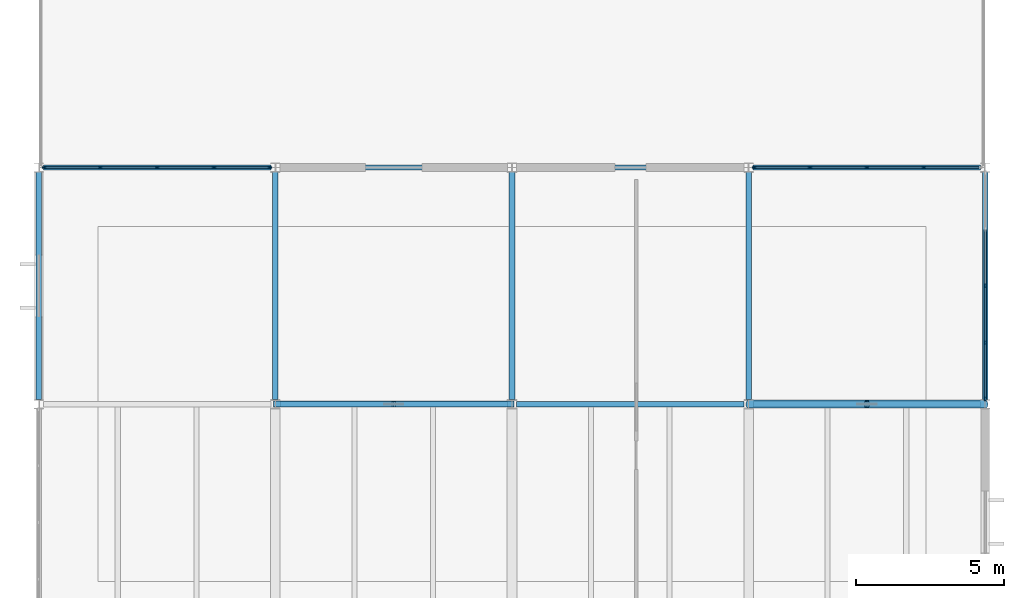
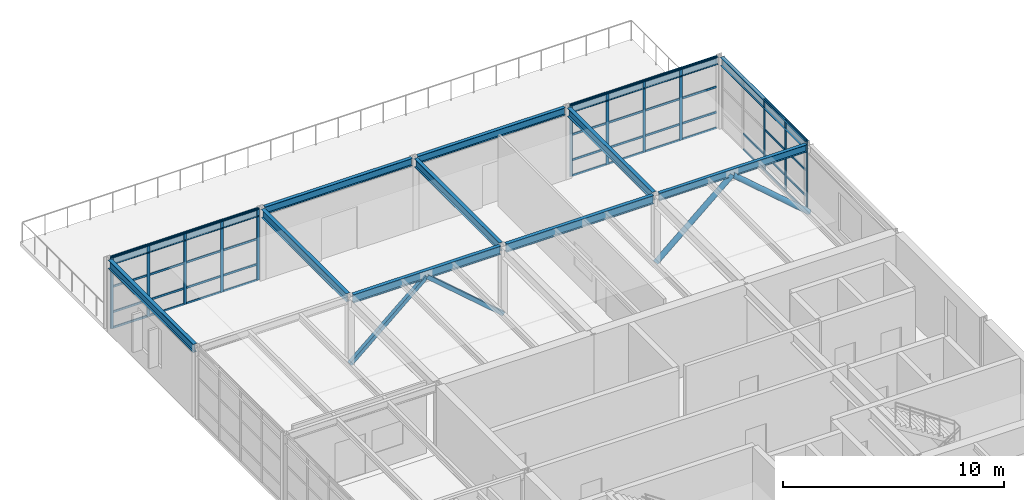
# One storey, part 9 of 15: 58 members, 12 beams, 3 elements without a shape of their own.
"""IFC4 building model written with IfcOpenShell, lengths in metres."""

from ifc_helpers import new_model, si_unit, direction, frame, origin, origin_2d, place, context, subcontext, project, spatial, rectangle, hollow_rectangle, hollow_circle, i_section, extrude, material, layer, layer_set, material_profile, profile_set, type_object, element, aggregate, save


model = new_model("IFC4")

# Units and contexts
model_context = context("Model", 3, precision=1e-05, world=origin(), true_north=direction((0.0, 1.0)))
body_context = subcontext(model_context, "Body", "Model", "MODEL_VIEW")
ifc_project = project(units=[si_unit("LENGTHUNIT", "METRE"), si_unit("AREAUNIT", "SQUARE_METRE"), si_unit("VOLUMEUNIT", "CUBIC_METRE"), si_unit("PLANEANGLEUNIT", "RADIAN"), si_unit("MASSUNIT", "GRAM", prefix="KILO")], contexts=[model_context])

# Site, building, storey
site_placement = place(None, origin())
site = spatial("IfcSite", under=ifc_project, at=site_placement, CompositionType="ELEMENT")
building_placement = place(site_placement, origin())
building = spatial("IfcBuilding", under=site, at=building_placement, Name="Varnela Railside Interchange", CompositionType="ELEMENT")
storey_placement = place(building_placement, frame((0.0, 0.0, 32.199951171875)))
storey = spatial("IfcBuildingStorey", under=building, at=storey_placement, Name="L07", CompositionType="ELEMENT", Elevation=32.199951171875)

# Beams
ifc_material_1 = material(Name="Steel AR 350 (350 MPa)", Category="steel")
ifc_material_profile_1 = material_profile(ifc_material_1, i_section(OverallWidth=0.18994140625, OverallDepth=0.45703125, WebThickness=0.009033203125, FlangeThickness=0.014404296875, at=origin_2d()), Name="W460x74")
ifc_profile_set_1 = profile_set([ifc_material_profile_1], Name="Steel AR 350 (350 MPa)")
beam_type_1 = type_object("IfcBeamType", Name="Composite Primary Beam B-21", PredefinedType="BEAM", material=ifc_profile_set_1)
for number, where, z_axis, x_axis, name in (
    (1, (12.155029296875, 78.0, 3.7314453125), (1.0, 0.0, 0.0), (0.0, 1.0, 0.0), "Composite Primary Beam B-21 (L07) (BM-2753)"),
    (2, (20.155029296875, 78.0, 3.7314453125), (1.0, 0.0, 0.0), (0.0, 1.0, 0.0), "Composite Primary Beam B-21 (L07) (BM-2754)"),
):
    element("IfcBeam", number, at=place(storey_placement, frame(where, z_axis=z_axis, x_axis=x_axis)), inside=storey, type_object=beam_type_1, Name=name, PredefinedType="BEAM", context=body_context, shape_type="SweptSolid", body=[
        extrude(i_section(OverallWidth=0.18994140625, OverallDepth=0.45703125, WebThickness=0.009033203125, FlangeThickness=0.014404296875, at=origin_2d()), origin(), (0.0, 0.0, 1.0), 7.68994140625),
    ])

# Curtain wall, members
ifc_material_2 = material(Name="Aluminium 6063-T6", Category="aluminium")
ifc_layer = layer(ifc_material_2, 0.035888671875)
ifc_layer_set = layer_set([ifc_layer], Name="Aluminium 6063-T6")
curtain_wall_type = type_object("IfcCurtainWallType", Name="Operations Wing Facade Curtain Wall CW-03", PredefinedType="USERDEFINED", material=ifc_layer_set)
curtain_wall_1_placement = place(storey_placement, origin())
curtain_wall_1 = element("IfcCurtainWall", 3, at=curtain_wall_1_placement, inside=storey, type_object=curtain_wall_type, Name="Curtain Wall CW-03 (L07) (CW-150)", ObjectType="CURTAIN WALL", PredefinedType="USERDEFINED")
ifc_material_profile_2 = material_profile(ifc_material_2, rectangle(XDim=0.06005859375, YDim=0.139892578125, at=origin_2d()), Name="ALU 60x140")
ifc_profile_set_2 = profile_set([ifc_material_profile_2], Name="Aluminium 6063-T6")
member_type_1 = type_object("IfcMemberType", Name="Curtain Wall Mullion ML-01", PredefinedType="MULLION", material=ifc_profile_set_2)
member_1_placement = place(storey_placement, frame((4.18505859375, 86.0, 0.0), z_axis=(0.0, 0.0, 1.0), x_axis=(0.0, 1.0, 0.0)))
member_1 = element("IfcMember", 4, at=member_1_placement, type_object=member_type_1, Name="CW-03 mullion 1", PredefinedType="MULLION", context=body_context, shape_type="SweptSolid", body=[
    extrude(rectangle(XDim=0.06005859375, YDim=0.139892578125, at=origin_2d()), origin(), (0.0, 0.0, 1.0), 3.9599609375),
])
member_2_placement = place(storey_placement, frame((6.077392578125, 86.0, 0.0), z_axis=(0.0, 0.0, 1.0), x_axis=(0.0, 1.0, 0.0)))
member_2 = element("IfcMember", 5, at=member_2_placement, type_object=member_type_1, Name="CW-03 mullion 2", PredefinedType="MULLION", context=body_context, shape_type="SweptSolid", body=[
    extrude(rectangle(XDim=0.06005859375, YDim=0.139892578125, at=origin_2d()), origin(), (0.0, 0.0, 1.0), 3.9599609375),
])
member_3_placement = place(storey_placement, frame((8.0, 86.0, 0.0), z_axis=(0.0, 0.0, 1.0), x_axis=(0.0, 1.0, 0.0)))
member_3 = element("IfcMember", 6, at=member_3_placement, type_object=member_type_1, Name="CW-03 mullion 3", PredefinedType="MULLION", context=body_context, shape_type="SweptSolid", body=[
    extrude(rectangle(XDim=0.06005859375, YDim=0.139892578125, at=origin_2d()), origin(), (0.0, 0.0, 1.0), 3.9599609375),
])
member_4_placement = place(storey_placement, frame((9.922607421875, 86.0, 0.0), z_axis=(0.0, 0.0, 1.0), x_axis=(0.0, 1.0, 0.0)))
member_4 = element("IfcMember", 7, at=member_4_placement, type_object=member_type_1, Name="CW-03 mullion 4", PredefinedType="MULLION", context=body_context, shape_type="SweptSolid", body=[
    extrude(rectangle(XDim=0.06005859375, YDim=0.139892578125, at=origin_2d()), origin(), (0.0, 0.0, 1.0), 3.9599609375),
])
member_5_placement = place(storey_placement, frame((11.81494140625, 86.0, 0.0), z_axis=(0.0, 0.0, 1.0), x_axis=(0.0, 1.0, 0.0)))
member_5 = element("IfcMember", 8, at=member_5_placement, type_object=member_type_1, Name="CW-03 mullion 5", PredefinedType="MULLION", context=body_context, shape_type="SweptSolid", body=[
    extrude(rectangle(XDim=0.06005859375, YDim=0.139892578125, at=origin_2d()), origin(), (0.0, 0.0, 1.0), 3.9599609375),
])

curtain_wall_2_placement = place(storey_placement, origin())
curtain_wall_2 = element("IfcCurtainWall", 9, at=curtain_wall_2_placement, inside=storey, type_object=curtain_wall_type, Name="Curtain Wall CW-03 (L07) (CW-151)", ObjectType="CURTAIN WALL", PredefinedType="USERDEFINED")
member_6_placement = place(storey_placement, frame((28.18505859375, 86.0, 0.0), z_axis=(0.0, 0.0, 1.0), x_axis=(0.0, 1.0, 0.0)))
member_6 = element("IfcMember", 10, at=member_6_placement, type_object=member_type_1, Name="CW-03 mullion 1", PredefinedType="MULLION", context=body_context, shape_type="SweptSolid", body=[
    extrude(rectangle(XDim=0.06005859375, YDim=0.139892578125, at=origin_2d()), origin(), (0.0, 0.0, 1.0), 3.9599609375),
])
member_7_placement = place(storey_placement, frame((30.077392578125, 86.0, 0.0), z_axis=(0.0, 0.0, 1.0), x_axis=(0.0, 1.0, 0.0)))
member_7 = element("IfcMember", 11, at=member_7_placement, type_object=member_type_1, Name="CW-03 mullion 2", PredefinedType="MULLION", context=body_context, shape_type="SweptSolid", body=[
    extrude(rectangle(XDim=0.06005859375, YDim=0.139892578125, at=origin_2d()), origin(), (0.0, 0.0, 1.0), 3.9599609375),
])
member_8_placement = place(storey_placement, frame((32.0, 86.0, 0.0), z_axis=(0.0, 0.0, 1.0), x_axis=(0.0, 1.0, 0.0)))
member_8 = element("IfcMember", 12, at=member_8_placement, type_object=member_type_1, Name="CW-03 mullion 3", PredefinedType="MULLION", context=body_context, shape_type="SweptSolid", body=[
    extrude(rectangle(XDim=0.06005859375, YDim=0.139892578125, at=origin_2d()), origin(), (0.0, 0.0, 1.0), 3.9599609375),
])
member_9_placement = place(storey_placement, frame((33.922607421875, 86.0, 0.0), z_axis=(0.0, 0.0, 1.0), x_axis=(0.0, 1.0, 0.0)))
member_9 = element("IfcMember", 13, at=member_9_placement, type_object=member_type_1, Name="CW-03 mullion 4", PredefinedType="MULLION", context=body_context, shape_type="SweptSolid", body=[
    extrude(rectangle(XDim=0.06005859375, YDim=0.139892578125, at=origin_2d()), origin(), (0.0, 0.0, 1.0), 3.9599609375),
])

curtain_wall_3_placement = place(storey_placement, origin())
curtain_wall_3 = element("IfcCurtainWall", 14, at=curtain_wall_3_placement, inside=storey, type_object=curtain_wall_type, Name="Curtain Wall CW-03 (L07) (CW-152)", ObjectType="CURTAIN WALL", PredefinedType="USERDEFINED")
member_10_placement = place(storey_placement, frame((36.0, 82.0, 0.0), z_axis=(0.0, 0.0, 1.0), x_axis=(1.0, 0.0, 0.0)))
member_10 = element("IfcMember", 15, at=member_10_placement, type_object=member_type_1, Name="CW-03 mullion 3", PredefinedType="MULLION", context=body_context, shape_type="SweptSolid", body=[
    extrude(rectangle(XDim=0.06005859375, YDim=0.139892578125, at=origin_2d()), origin(), (0.0, 0.0, 1.0), 3.9599609375),
])
member_11_placement = place(storey_placement, frame((36.0, 80.076904296875, 0.0), z_axis=(0.0, 0.0, 1.0), x_axis=(1.0, 0.0, 0.0)))
member_11 = element("IfcMember", 16, at=member_11_placement, type_object=member_type_1, Name="CW-03 mullion 4", PredefinedType="MULLION", context=body_context, shape_type="SweptSolid", body=[
    extrude(rectangle(XDim=0.06005859375, YDim=0.139892578125, at=origin_2d()), origin(), (0.0, 0.0, 1.0), 3.9599609375),
])
member_12_placement = place(storey_placement, frame((36.0, 78.18408203125, 0.0), z_axis=(0.0, 0.0, 1.0), x_axis=(1.0, 0.0, 0.0)))
member_12 = element("IfcMember", 17, at=member_12_placement, type_object=member_type_1, Name="CW-03 mullion 5", PredefinedType="MULLION", context=body_context, shape_type="SweptSolid", body=[
    extrude(rectangle(XDim=0.06005859375, YDim=0.139892578125, at=origin_2d()), origin(), (0.0, 0.0, 1.0), 3.9599609375),
])

# Member
ifc_material_profile_3 = material_profile(ifc_material_2, rectangle(XDim=0.06005859375, YDim=0.110107421875, at=origin_2d()), Name="ALU 60x110")
ifc_profile_set_3 = profile_set([ifc_material_profile_3], Name="Aluminium 6063-T6")
member_type_2 = type_object("IfcMemberType", Name="Curtain Wall Transom TR-01", PredefinedType="USERDEFINED", material=ifc_profile_set_3)
member_13_placement = place(storey_placement, frame((4.215087890625, 86.0, 0.030029296875), z_axis=(1.0, 0.0, 0.0), x_axis=(0.0, 1.0, 0.0)))
member_13 = element("IfcMember", 18, at=member_13_placement, type_object=member_type_2, Name="CW-03 transom 1.1", ObjectType="TRANSOM", PredefinedType="USERDEFINED", context=body_context, shape_type="SweptSolid", body=[
    extrude(rectangle(XDim=0.06005859375, YDim=0.110107421875, at=origin_2d()), origin(), (0.0, 0.0, 1.0), 1.83251953125),
])

member_14_placement = place(storey_placement, frame((4.215087890625, 86.0, 0.900146484375), z_axis=(1.0, 0.0, 0.0), x_axis=(0.0, 1.0, 0.0)))
member_14 = element("IfcMember", 19, at=member_14_placement, type_object=member_type_2, Name="CW-03 transom 1.2", ObjectType="TRANSOM", PredefinedType="USERDEFINED", context=body_context, shape_type="SweptSolid", body=[
    extrude(rectangle(XDim=0.06005859375, YDim=0.110107421875, at=origin_2d()), origin(), (0.0, 0.0, 1.0), 1.83251953125),
])

member_15_placement = place(storey_placement, frame((4.215087890625, 86.0, 2.296875), z_axis=(1.0, 0.0, 0.0), x_axis=(0.0, 1.0, 0.0)))
member_15 = element("IfcMember", 20, at=member_15_placement, type_object=member_type_2, Name="CW-03 transom 1.3", ObjectType="TRANSOM", PredefinedType="USERDEFINED", context=body_context, shape_type="SweptSolid", body=[
    extrude(rectangle(XDim=0.06005859375, YDim=0.110107421875, at=origin_2d()), origin(), (0.0, 0.0, 1.0), 1.83251953125),
])

member_16_placement = place(storey_placement, frame((4.215087890625, 86.0, 3.929931640625), z_axis=(1.0, 0.0, 0.0), x_axis=(0.0, 1.0, 0.0)))
member_16 = element("IfcMember", 21, at=member_16_placement, type_object=member_type_2, Name="CW-03 transom 1.4", ObjectType="TRANSOM", PredefinedType="USERDEFINED", context=body_context, shape_type="SweptSolid", body=[
    extrude(rectangle(XDim=0.06005859375, YDim=0.110107421875, at=origin_2d()), origin(), (0.0, 0.0, 1.0), 1.83251953125),
])

member_17_placement = place(storey_placement, frame((6.107421875, 86.0, 0.030029296875), z_axis=(1.0, 0.0, 0.0), x_axis=(0.0, 1.0, 0.0)))
member_17 = element("IfcMember", 22, at=member_17_placement, type_object=member_type_2, Name="CW-03 transom 2.1", ObjectType="TRANSOM", PredefinedType="USERDEFINED", context=body_context, shape_type="SweptSolid", body=[
    extrude(rectangle(XDim=0.06005859375, YDim=0.110107421875, at=origin_2d()), origin(), (0.0, 0.0, 1.0), 1.862548828125),
])

member_18_placement = place(storey_placement, frame((6.107421875, 86.0, 0.900146484375), z_axis=(1.0, 0.0, 0.0), x_axis=(0.0, 1.0, 0.0)))
member_18 = element("IfcMember", 23, at=member_18_placement, type_object=member_type_2, Name="CW-03 transom 2.2", ObjectType="TRANSOM", PredefinedType="USERDEFINED", context=body_context, shape_type="SweptSolid", body=[
    extrude(rectangle(XDim=0.06005859375, YDim=0.110107421875, at=origin_2d()), origin(), (0.0, 0.0, 1.0), 1.862548828125),
])

member_19_placement = place(storey_placement, frame((6.107421875, 86.0, 2.296875), z_axis=(1.0, 0.0, 0.0), x_axis=(0.0, 1.0, 0.0)))
member_19 = element("IfcMember", 24, at=member_19_placement, type_object=member_type_2, Name="CW-03 transom 2.3", ObjectType="TRANSOM", PredefinedType="USERDEFINED", context=body_context, shape_type="SweptSolid", body=[
    extrude(rectangle(XDim=0.06005859375, YDim=0.110107421875, at=origin_2d()), origin(), (0.0, 0.0, 1.0), 1.862548828125),
])

member_20_placement = place(storey_placement, frame((6.107421875, 86.0, 3.929931640625), z_axis=(1.0, 0.0, 0.0), x_axis=(0.0, 1.0, 0.0)))
member_20 = element("IfcMember", 25, at=member_20_placement, type_object=member_type_2, Name="CW-03 transom 2.4", ObjectType="TRANSOM", PredefinedType="USERDEFINED", context=body_context, shape_type="SweptSolid", body=[
    extrude(rectangle(XDim=0.06005859375, YDim=0.110107421875, at=origin_2d()), origin(), (0.0, 0.0, 1.0), 1.862548828125),
])

member_21_placement = place(storey_placement, frame((8.030029296875, 86.0, 0.030029296875), z_axis=(1.0, 0.0, 0.0), x_axis=(0.0, 1.0, 0.0)))
member_21 = element("IfcMember", 26, at=member_21_placement, type_object=member_type_2, Name="CW-03 transom 3.1", ObjectType="TRANSOM", PredefinedType="USERDEFINED", context=body_context, shape_type="SweptSolid", body=[
    extrude(rectangle(XDim=0.06005859375, YDim=0.110107421875, at=origin_2d()), origin(), (0.0, 0.0, 1.0), 1.862548828125),
])

member_22_placement = place(storey_placement, frame((8.030029296875, 86.0, 0.900146484375), z_axis=(1.0, 0.0, 0.0), x_axis=(0.0, 1.0, 0.0)))
member_22 = element("IfcMember", 27, at=member_22_placement, type_object=member_type_2, Name="CW-03 transom 3.2", ObjectType="TRANSOM", PredefinedType="USERDEFINED", context=body_context, shape_type="SweptSolid", body=[
    extrude(rectangle(XDim=0.06005859375, YDim=0.110107421875, at=origin_2d()), origin(), (0.0, 0.0, 1.0), 1.862548828125),
])

member_23_placement = place(storey_placement, frame((8.030029296875, 86.0, 2.296875), z_axis=(1.0, 0.0, 0.0), x_axis=(0.0, 1.0, 0.0)))
member_23 = element("IfcMember", 28, at=member_23_placement, type_object=member_type_2, Name="CW-03 transom 3.3", ObjectType="TRANSOM", PredefinedType="USERDEFINED", context=body_context, shape_type="SweptSolid", body=[
    extrude(rectangle(XDim=0.06005859375, YDim=0.110107421875, at=origin_2d()), origin(), (0.0, 0.0, 1.0), 1.862548828125),
])

member_24_placement = place(storey_placement, frame((8.030029296875, 86.0, 3.929931640625), z_axis=(1.0, 0.0, 0.0), x_axis=(0.0, 1.0, 0.0)))
member_24 = element("IfcMember", 29, at=member_24_placement, type_object=member_type_2, Name="CW-03 transom 3.4", ObjectType="TRANSOM", PredefinedType="USERDEFINED", context=body_context, shape_type="SweptSolid", body=[
    extrude(rectangle(XDim=0.06005859375, YDim=0.110107421875, at=origin_2d()), origin(), (0.0, 0.0, 1.0), 1.862548828125),
])

member_25_placement = place(storey_placement, frame((9.952392578125, 86.0, 0.030029296875), z_axis=(1.0, 0.0, 0.0), x_axis=(0.0, 1.0, 0.0)))
member_25 = element("IfcMember", 30, at=member_25_placement, type_object=member_type_2, Name="CW-03 transom 4.1", ObjectType="TRANSOM", PredefinedType="USERDEFINED", context=body_context, shape_type="SweptSolid", body=[
    extrude(rectangle(XDim=0.06005859375, YDim=0.110107421875, at=origin_2d()), origin(), (0.0, 0.0, 1.0), 1.83251953125),
])

member_26_placement = place(storey_placement, frame((9.952392578125, 86.0, 0.900146484375), z_axis=(1.0, 0.0, 0.0), x_axis=(0.0, 1.0, 0.0)))
member_26 = element("IfcMember", 31, at=member_26_placement, type_object=member_type_2, Name="CW-03 transom 4.2", ObjectType="TRANSOM", PredefinedType="USERDEFINED", context=body_context, shape_type="SweptSolid", body=[
    extrude(rectangle(XDim=0.06005859375, YDim=0.110107421875, at=origin_2d()), origin(), (0.0, 0.0, 1.0), 1.83251953125),
])

member_27_placement = place(storey_placement, frame((9.952392578125, 86.0, 2.296875), z_axis=(1.0, 0.0, 0.0), x_axis=(0.0, 1.0, 0.0)))
member_27 = element("IfcMember", 32, at=member_27_placement, type_object=member_type_2, Name="CW-03 transom 4.3", ObjectType="TRANSOM", PredefinedType="USERDEFINED", context=body_context, shape_type="SweptSolid", body=[
    extrude(rectangle(XDim=0.06005859375, YDim=0.110107421875, at=origin_2d()), origin(), (0.0, 0.0, 1.0), 1.83251953125),
])

member_28_placement = place(storey_placement, frame((9.952392578125, 86.0, 3.929931640625), z_axis=(1.0, 0.0, 0.0), x_axis=(0.0, 1.0, 0.0)))
member_28 = element("IfcMember", 33, at=member_28_placement, type_object=member_type_2, Name="CW-03 transom 4.4", ObjectType="TRANSOM", PredefinedType="USERDEFINED", context=body_context, shape_type="SweptSolid", body=[
    extrude(rectangle(XDim=0.06005859375, YDim=0.110107421875, at=origin_2d()), origin(), (0.0, 0.0, 1.0), 1.83251953125),
])

aggregate(curtain_wall_1, [member_1, member_2, member_3, member_4, member_5, member_13, member_14, member_15, member_16, member_17, member_18, member_19, member_20, member_21, member_22, member_23, member_24, member_25, member_26, member_27, member_28])

member_29_placement = place(storey_placement, frame((28.215087890625, 86.0, 0.030029296875), z_axis=(1.0, 0.0, 0.0), x_axis=(0.0, 1.0, 0.0)))
member_29 = element("IfcMember", 34, at=member_29_placement, type_object=member_type_2, Name="CW-03 transom 1.1", ObjectType="TRANSOM", PredefinedType="USERDEFINED", context=body_context, shape_type="SweptSolid", body=[
    extrude(rectangle(XDim=0.06005859375, YDim=0.110107421875, at=origin_2d()), origin(), (0.0, 0.0, 1.0), 1.83251953125),
])

member_30_placement = place(storey_placement, frame((28.215087890625, 86.0, 0.900146484375), z_axis=(1.0, 0.0, 0.0), x_axis=(0.0, 1.0, 0.0)))
member_30 = element("IfcMember", 35, at=member_30_placement, type_object=member_type_2, Name="CW-03 transom 1.2", ObjectType="TRANSOM", PredefinedType="USERDEFINED", context=body_context, shape_type="SweptSolid", body=[
    extrude(rectangle(XDim=0.06005859375, YDim=0.110107421875, at=origin_2d()), origin(), (0.0, 0.0, 1.0), 1.83251953125),
])

member_31_placement = place(storey_placement, frame((28.215087890625, 86.0, 2.296875), z_axis=(1.0, 0.0, 0.0), x_axis=(0.0, 1.0, 0.0)))
member_31 = element("IfcMember", 36, at=member_31_placement, type_object=member_type_2, Name="CW-03 transom 1.3", ObjectType="TRANSOM", PredefinedType="USERDEFINED", context=body_context, shape_type="SweptSolid", body=[
    extrude(rectangle(XDim=0.06005859375, YDim=0.110107421875, at=origin_2d()), origin(), (0.0, 0.0, 1.0), 1.83251953125),
])

member_32_placement = place(storey_placement, frame((28.215087890625, 86.0, 3.929931640625), z_axis=(1.0, 0.0, 0.0), x_axis=(0.0, 1.0, 0.0)))
member_32 = element("IfcMember", 37, at=member_32_placement, type_object=member_type_2, Name="CW-03 transom 1.4", ObjectType="TRANSOM", PredefinedType="USERDEFINED", context=body_context, shape_type="SweptSolid", body=[
    extrude(rectangle(XDim=0.06005859375, YDim=0.110107421875, at=origin_2d()), origin(), (0.0, 0.0, 1.0), 1.83251953125),
])

member_33_placement = place(storey_placement, frame((30.107421875, 86.0, 0.030029296875), z_axis=(1.0, 0.0, 0.0), x_axis=(0.0, 1.0, 0.0)))
member_33 = element("IfcMember", 38, at=member_33_placement, type_object=member_type_2, Name="CW-03 transom 2.1", ObjectType="TRANSOM", PredefinedType="USERDEFINED", context=body_context, shape_type="SweptSolid", body=[
    extrude(rectangle(XDim=0.06005859375, YDim=0.110107421875, at=origin_2d()), origin(), (0.0, 0.0, 1.0), 1.862548828125),
])

member_34_placement = place(storey_placement, frame((30.107421875, 86.0, 0.900146484375), z_axis=(1.0, 0.0, 0.0), x_axis=(0.0, 1.0, 0.0)))
member_34 = element("IfcMember", 39, at=member_34_placement, type_object=member_type_2, Name="CW-03 transom 2.2", ObjectType="TRANSOM", PredefinedType="USERDEFINED", context=body_context, shape_type="SweptSolid", body=[
    extrude(rectangle(XDim=0.06005859375, YDim=0.110107421875, at=origin_2d()), origin(), (0.0, 0.0, 1.0), 1.862548828125),
])

member_35_placement = place(storey_placement, frame((30.107421875, 86.0, 2.296875), z_axis=(1.0, 0.0, 0.0), x_axis=(0.0, 1.0, 0.0)))
member_35 = element("IfcMember", 40, at=member_35_placement, type_object=member_type_2, Name="CW-03 transom 2.3", ObjectType="TRANSOM", PredefinedType="USERDEFINED", context=body_context, shape_type="SweptSolid", body=[
    extrude(rectangle(XDim=0.06005859375, YDim=0.110107421875, at=origin_2d()), origin(), (0.0, 0.0, 1.0), 1.862548828125),
])

member_36_placement = place(storey_placement, frame((30.107421875, 86.0, 3.929931640625), z_axis=(1.0, 0.0, 0.0), x_axis=(0.0, 1.0, 0.0)))
member_36 = element("IfcMember", 41, at=member_36_placement, type_object=member_type_2, Name="CW-03 transom 2.4", ObjectType="TRANSOM", PredefinedType="USERDEFINED", context=body_context, shape_type="SweptSolid", body=[
    extrude(rectangle(XDim=0.06005859375, YDim=0.110107421875, at=origin_2d()), origin(), (0.0, 0.0, 1.0), 1.862548828125),
])

member_37_placement = place(storey_placement, frame((32.030029296875, 86.0, 0.030029296875), z_axis=(1.0, 0.0, 0.0), x_axis=(0.0, 1.0, 0.0)))
member_37 = element("IfcMember", 42, at=member_37_placement, type_object=member_type_2, Name="CW-03 transom 3.1", ObjectType="TRANSOM", PredefinedType="USERDEFINED", context=body_context, shape_type="SweptSolid", body=[
    extrude(rectangle(XDim=0.06005859375, YDim=0.110107421875, at=origin_2d()), origin(), (0.0, 0.0, 1.0), 1.862548828125),
])

member_38_placement = place(storey_placement, frame((32.030029296875, 86.0, 0.900146484375), z_axis=(1.0, 0.0, 0.0), x_axis=(0.0, 1.0, 0.0)))
member_38 = element("IfcMember", 43, at=member_38_placement, type_object=member_type_2, Name="CW-03 transom 3.2", ObjectType="TRANSOM", PredefinedType="USERDEFINED", context=body_context, shape_type="SweptSolid", body=[
    extrude(rectangle(XDim=0.06005859375, YDim=0.110107421875, at=origin_2d()), origin(), (0.0, 0.0, 1.0), 1.862548828125),
])

member_39_placement = place(storey_placement, frame((32.030029296875, 86.0, 2.296875), z_axis=(1.0, 0.0, 0.0), x_axis=(0.0, 1.0, 0.0)))
member_39 = element("IfcMember", 44, at=member_39_placement, type_object=member_type_2, Name="CW-03 transom 3.3", ObjectType="TRANSOM", PredefinedType="USERDEFINED", context=body_context, shape_type="SweptSolid", body=[
    extrude(rectangle(XDim=0.06005859375, YDim=0.110107421875, at=origin_2d()), origin(), (0.0, 0.0, 1.0), 1.862548828125),
])

member_40_placement = place(storey_placement, frame((32.030029296875, 86.0, 3.929931640625), z_axis=(1.0, 0.0, 0.0), x_axis=(0.0, 1.0, 0.0)))
member_40 = element("IfcMember", 45, at=member_40_placement, type_object=member_type_2, Name="CW-03 transom 3.4", ObjectType="TRANSOM", PredefinedType="USERDEFINED", context=body_context, shape_type="SweptSolid", body=[
    extrude(rectangle(XDim=0.06005859375, YDim=0.110107421875, at=origin_2d()), origin(), (0.0, 0.0, 1.0), 1.862548828125),
])

member_41_placement = place(storey_placement, frame((33.952392578125, 86.0, 0.030029296875), z_axis=(1.0, 0.0, 0.0), x_axis=(0.0, 1.0, 0.0)))
member_41 = element("IfcMember", 46, at=member_41_placement, type_object=member_type_2, Name="CW-03 transom 4.1", ObjectType="TRANSOM", PredefinedType="USERDEFINED", context=body_context, shape_type="SweptSolid", body=[
    extrude(rectangle(XDim=0.06005859375, YDim=0.110107421875, at=origin_2d()), origin(), (0.0, 0.0, 1.0), 1.83251953125),
])

member_42_placement = place(storey_placement, frame((33.952392578125, 86.0, 0.900146484375), z_axis=(1.0, 0.0, 0.0), x_axis=(0.0, 1.0, 0.0)))
member_42 = element("IfcMember", 47, at=member_42_placement, type_object=member_type_2, Name="CW-03 transom 4.2", ObjectType="TRANSOM", PredefinedType="USERDEFINED", context=body_context, shape_type="SweptSolid", body=[
    extrude(rectangle(XDim=0.06005859375, YDim=0.110107421875, at=origin_2d()), origin(), (0.0, 0.0, 1.0), 1.83251953125),
])

member_43_placement = place(storey_placement, frame((33.952392578125, 86.0, 2.296875), z_axis=(1.0, 0.0, 0.0), x_axis=(0.0, 1.0, 0.0)))
member_43 = element("IfcMember", 48, at=member_43_placement, type_object=member_type_2, Name="CW-03 transom 4.3", ObjectType="TRANSOM", PredefinedType="USERDEFINED", context=body_context, shape_type="SweptSolid", body=[
    extrude(rectangle(XDim=0.06005859375, YDim=0.110107421875, at=origin_2d()), origin(), (0.0, 0.0, 1.0), 1.83251953125),
])

member_44_placement = place(storey_placement, frame((33.952392578125, 86.0, 3.929931640625), z_axis=(1.0, 0.0, 0.0), x_axis=(0.0, 1.0, 0.0)))
member_44 = element("IfcMember", 49, at=member_44_placement, type_object=member_type_2, Name="CW-03 transom 4.4", ObjectType="TRANSOM", PredefinedType="USERDEFINED", context=body_context, shape_type="SweptSolid", body=[
    extrude(rectangle(XDim=0.06005859375, YDim=0.110107421875, at=origin_2d()), origin(), (0.0, 0.0, 1.0), 1.83251953125),
])

aggregate(curtain_wall_2, [member_6, member_7, member_8, member_9, member_29, member_30, member_31, member_32, member_33, member_34, member_35, member_36, member_37, member_38, member_39, member_40, member_41, member_42, member_43, member_44])

member_45_placement = place(storey_placement, frame((36.0, 83.89306640625, 0.030029296875), z_axis=(0.0, -1.0, 0.0), x_axis=(1.0, 0.0, 0.0)))
member_45 = element("IfcMember", 50, at=member_45_placement, type_object=member_type_2, Name="CW-03 transom 2.1", ObjectType="TRANSOM", PredefinedType="USERDEFINED", context=body_context, shape_type="SweptSolid", body=[
    extrude(rectangle(XDim=0.06005859375, YDim=0.110107421875, at=origin_2d()), origin(), (0.0, 0.0, 1.0), 1.863037109375),
])

member_46_placement = place(storey_placement, frame((36.0, 83.89306640625, 0.900146484375), z_axis=(0.0, -1.0, 0.0), x_axis=(1.0, 0.0, 0.0)))
member_46 = element("IfcMember", 51, at=member_46_placement, type_object=member_type_2, Name="CW-03 transom 2.2", ObjectType="TRANSOM", PredefinedType="USERDEFINED", context=body_context, shape_type="SweptSolid", body=[
    extrude(rectangle(XDim=0.06005859375, YDim=0.110107421875, at=origin_2d()), origin(), (0.0, 0.0, 1.0), 1.863037109375),
])

member_47_placement = place(storey_placement, frame((36.0, 81.969970703125, 0.030029296875), z_axis=(0.0, -1.0, 0.0), x_axis=(1.0, 0.0, 0.0)))
member_47 = element("IfcMember", 52, at=member_47_placement, type_object=member_type_2, Name="CW-03 transom 3.1", ObjectType="TRANSOM", PredefinedType="USERDEFINED", context=body_context, shape_type="SweptSolid", body=[
    extrude(rectangle(XDim=0.06005859375, YDim=0.110107421875, at=origin_2d()), origin(), (0.0, 0.0, 1.0), 1.863037109375),
])

member_48_placement = place(storey_placement, frame((36.0, 81.969970703125, 0.900146484375), z_axis=(0.0, -1.0, 0.0), x_axis=(1.0, 0.0, 0.0)))
member_48 = element("IfcMember", 53, at=member_48_placement, type_object=member_type_2, Name="CW-03 transom 3.2", ObjectType="TRANSOM", PredefinedType="USERDEFINED", context=body_context, shape_type="SweptSolid", body=[
    extrude(rectangle(XDim=0.06005859375, YDim=0.110107421875, at=origin_2d()), origin(), (0.0, 0.0, 1.0), 1.863037109375),
])

member_49_placement = place(storey_placement, frame((36.0, 81.969970703125, 2.296875), z_axis=(0.0, -1.0, 0.0), x_axis=(1.0, 0.0, 0.0)))
member_49 = element("IfcMember", 54, at=member_49_placement, type_object=member_type_2, Name="CW-03 transom 3.3", ObjectType="TRANSOM", PredefinedType="USERDEFINED", context=body_context, shape_type="SweptSolid", body=[
    extrude(rectangle(XDim=0.06005859375, YDim=0.110107421875, at=origin_2d()), origin(), (0.0, 0.0, 1.0), 1.863037109375),
])

member_50_placement = place(storey_placement, frame((36.0, 81.969970703125, 3.929931640625), z_axis=(0.0, -1.0, 0.0), x_axis=(1.0, 0.0, 0.0)))
member_50 = element("IfcMember", 55, at=member_50_placement, type_object=member_type_2, Name="CW-03 transom 3.4", ObjectType="TRANSOM", PredefinedType="USERDEFINED", context=body_context, shape_type="SweptSolid", body=[
    extrude(rectangle(XDim=0.06005859375, YDim=0.110107421875, at=origin_2d()), origin(), (0.0, 0.0, 1.0), 1.863037109375),
])

member_51_placement = place(storey_placement, frame((36.0, 80.047119140625, 0.030029296875), z_axis=(0.0, -1.0, 0.0), x_axis=(1.0, 0.0, 0.0)))
member_51 = element("IfcMember", 56, at=member_51_placement, type_object=member_type_2, Name="CW-03 transom 4.1", ObjectType="TRANSOM", PredefinedType="USERDEFINED", context=body_context, shape_type="SweptSolid", body=[
    extrude(rectangle(XDim=0.06005859375, YDim=0.110107421875, at=origin_2d()), origin(), (0.0, 0.0, 1.0), 1.8330078125),
])

member_52_placement = place(storey_placement, frame((36.0, 80.047119140625, 0.900146484375), z_axis=(0.0, -1.0, 0.0), x_axis=(1.0, 0.0, 0.0)))
member_52 = element("IfcMember", 57, at=member_52_placement, type_object=member_type_2, Name="CW-03 transom 4.2", ObjectType="TRANSOM", PredefinedType="USERDEFINED", context=body_context, shape_type="SweptSolid", body=[
    extrude(rectangle(XDim=0.06005859375, YDim=0.110107421875, at=origin_2d()), origin(), (0.0, 0.0, 1.0), 1.8330078125),
])

member_53_placement = place(storey_placement, frame((36.0, 80.047119140625, 2.296875), z_axis=(0.0, -1.0, 0.0), x_axis=(1.0, 0.0, 0.0)))
member_53 = element("IfcMember", 58, at=member_53_placement, type_object=member_type_2, Name="CW-03 transom 4.3", ObjectType="TRANSOM", PredefinedType="USERDEFINED", context=body_context, shape_type="SweptSolid", body=[
    extrude(rectangle(XDim=0.06005859375, YDim=0.110107421875, at=origin_2d()), origin(), (0.0, 0.0, 1.0), 1.8330078125),
])

member_54_placement = place(storey_placement, frame((36.0, 80.047119140625, 3.929931640625), z_axis=(0.0, -1.0, 0.0), x_axis=(1.0, 0.0, 0.0)))
member_54 = element("IfcMember", 59, at=member_54_placement, type_object=member_type_2, Name="CW-03 transom 4.4", ObjectType="TRANSOM", PredefinedType="USERDEFINED", context=body_context, shape_type="SweptSolid", body=[
    extrude(rectangle(XDim=0.06005859375, YDim=0.110107421875, at=origin_2d()), origin(), (0.0, 0.0, 1.0), 1.8330078125),
])

aggregate(curtain_wall_3, [member_10, member_11, member_12, member_45, member_46, member_47, member_48, member_49, member_50, member_51, member_52, member_53, member_54])

# Members
ifc_material_profile_4 = material_profile(ifc_material_1, hollow_rectangle(XDim=0.199951171875, YDim=0.199951171875, WallThickness=0.012451171875, at=origin_2d()), Name="HSS 200x200x12.5")
ifc_profile_set_4 = profile_set([ifc_material_profile_4], Name="Steel AR 350 (350 MPa)")
member_type_3 = type_object("IfcMemberType", Name="Lateral Chevron Brace BR-06", PredefinedType="BRACE", material=ifc_profile_set_4)
for number, where, z_axis, x_axis, name in (
    (60, (12.0, 78.0, 0.150146484375), (0.756316256301, 0.0, 0.6542061758), (0.0, 1.0, 0.0), "Lateral Chevron Brace BR-06 (L07) (MB-0188)"),
    (61, (20.0, 78.0, 0.150146484375), (-0.756316256301, 0.0, 0.6542061758), (0.0, -1.0, 0.0), "Lateral Chevron Brace BR-06 (L07) (MB-0189)"),
):
    element("IfcMember", number, at=place(storey_placement, frame(where, z_axis=z_axis, x_axis=x_axis)), inside=storey, type_object=member_type_3, Name=name, PredefinedType="BRACE", context=body_context, shape_type="SweptSolid", body=[
        extrude(hollow_rectangle(XDim=0.199951171875, YDim=0.199951171875, WallThickness=0.012451171875, at=origin_2d()), origin(), (0.0, 0.0, 1.0), 5.288818359375),
    ])

# Beams
ifc_material_profile_5 = material_profile(ifc_material_1, i_section(OverallWidth=0.19091796875, OverallDepth=0.4599609375, WebThickness=0.010009765625, FlangeThickness=0.01611328125, at=origin_2d()), Name="W460x82")
ifc_profile_set_5 = profile_set([ifc_material_profile_5], Name="Steel AR 350 (350 MPa)")
beam_type_2 = type_object("IfcBeamType", Name="Steel Perimeter Spandrel SP-01", PredefinedType="SPANDREL", material=ifc_profile_set_5)
for number, where, z_axis, x_axis, name in (
    (62, (4.0, 78.154052734375, 3.72998046875), (0.0, 1.0, 0.0), (-1.0, 0.0, 0.0), "Steel Perimeter Spandrel SP-01 (L07) (BM-2765)"),
    (63, (12.0, 78.154052734375, 3.72998046875), (0.0, 1.0, 0.0), (-1.0, 0.0, 0.0), "Steel Perimeter Spandrel SP-01 (L07) (BM-2768)"),
    (64, (20.0, 78.154052734375, 3.72998046875), (0.0, 1.0, 0.0), (-1.0, 0.0, 0.0), "Steel Perimeter Spandrel SP-01 (L07) (BM-2771)"),
    (65, (28.0, 78.154052734375, 3.72998046875), (0.0, 1.0, 0.0), (-1.0, 0.0, 0.0), "Steel Perimeter Spandrel SP-01 (L07) (BM-2775)"),
    (66, (36.0, 78.154052734375, 3.72998046875), (0.0, 1.0, 0.0), (-1.0, 0.0, 0.0), "Steel Perimeter Spandrel SP-01 (L07) (BM-2778)"),
):
    element("IfcBeam", number, at=place(storey_placement, frame(where, z_axis=z_axis, x_axis=x_axis)), inside=storey, type_object=beam_type_2, Name=name, PredefinedType="SPANDREL", context=body_context, shape_type="SweptSolid", body=[
        extrude(i_section(OverallWidth=0.19091796875, OverallDepth=0.4599609375, WebThickness=0.010009765625, FlangeThickness=0.01611328125, at=origin_2d()), origin(), (0.0, 0.0, 1.0), 7.69189453125),
    ])
ifc_material_profile_6 = material_profile(ifc_material_1, i_section(OverallWidth=0.178955078125, OverallDepth=0.409912109375, WebThickness=0.0087890625, FlangeThickness=0.014404296875, at=origin_2d()), Name="W410x67")
ifc_profile_set_6 = profile_set([ifc_material_profile_6], Name="Steel AR 350 (350 MPa)")
beam_type_3 = type_object("IfcBeamType", Name="Steel Terrace Spandrel SP-02", PredefinedType="SPANDREL", material=ifc_profile_set_6)
for number, where, z_axis, x_axis, name in (
    (67, (28.155029296875, 78.0, 3.755126953125), (1.0, 0.0, 0.0), (0.0, 1.0, 0.0), "Steel Terrace Spandrel SP-02 (L07) (BM-2755)"),
    (68, (4.155029296875, 86.0, 3.755126953125), (1.0, 0.0, 0.0), (0.0, 1.0, 0.0), "Steel Terrace Spandrel SP-02 (L07) (BM-2760)"),
    (69, (12.155029296875, 86.0, 3.755126953125), (1.0, 0.0, 0.0), (0.0, 1.0, 0.0), "Steel Terrace Spandrel SP-02 (L07) (BM-2757)"),
    (70, (20.155029296875, 86.0, 3.755126953125), (1.0, 0.0, 0.0), (0.0, 1.0, 0.0), "Steel Terrace Spandrel SP-02 (L07) (BM-2758)"),
    (71, (28.155029296875, 86.0, 3.755126953125), (1.0, 0.0, 0.0), (0.0, 1.0, 0.0), "Steel Terrace Spandrel SP-02 (L07) (BM-2759)"),
):
    element("IfcBeam", number, at=place(storey_placement, frame(where, z_axis=z_axis, x_axis=x_axis)), inside=storey, type_object=beam_type_3, Name=name, PredefinedType="SPANDREL", context=body_context, shape_type="SweptSolid", body=[
        extrude(i_section(OverallWidth=0.178955078125, OverallDepth=0.409912109375, WebThickness=0.0087890625, FlangeThickness=0.014404296875, at=origin_2d()), origin(), (0.0, 0.0, 1.0), 7.68994140625),
    ])

# Members
ifc_material_profile_7 = material_profile(ifc_material_1, hollow_circle(Radius=0.136474609375, WallThickness=0.01611328125, at=origin_2d()), Name="CHS 273x16")
ifc_profile_set_7 = profile_set([ifc_material_profile_7], Name="Steel AR 350 (350 MPa)")
member_type_4 = type_object("IfcMemberType", Name="Tubular Upper Brace BR-12", PredefinedType="BRACE", material=ifc_profile_set_7)
for number, where, z_axis, x_axis, name in (
    (72, (28.0, 78.0, 0.150146484375), (0.756316256301, 0.0, 0.6542061758), (0.0, 1.0, 0.0), "Tubular Upper Brace BR-12 (L07) (MB-0190)"),
    (73, (36.0, 78.0, 0.150146484375), (-0.756316256301, 0.0, 0.6542061758), (0.0, -1.0, 0.0), "Tubular Upper Brace BR-12 (L07) (MB-0191)"),
):
    element("IfcMember", number, at=place(storey_placement, frame(where, z_axis=z_axis, x_axis=x_axis)), inside=storey, type_object=member_type_4, Name=name, PredefinedType="BRACE", context=body_context, shape_type="SweptSolid", body=[
        extrude(hollow_circle(Radius=0.136474609375, WallThickness=0.01611328125, at=origin_2d()), origin(), (0.0, 0.0, 1.0), 5.288818359375),
    ])

save(model, "model.ifc")
